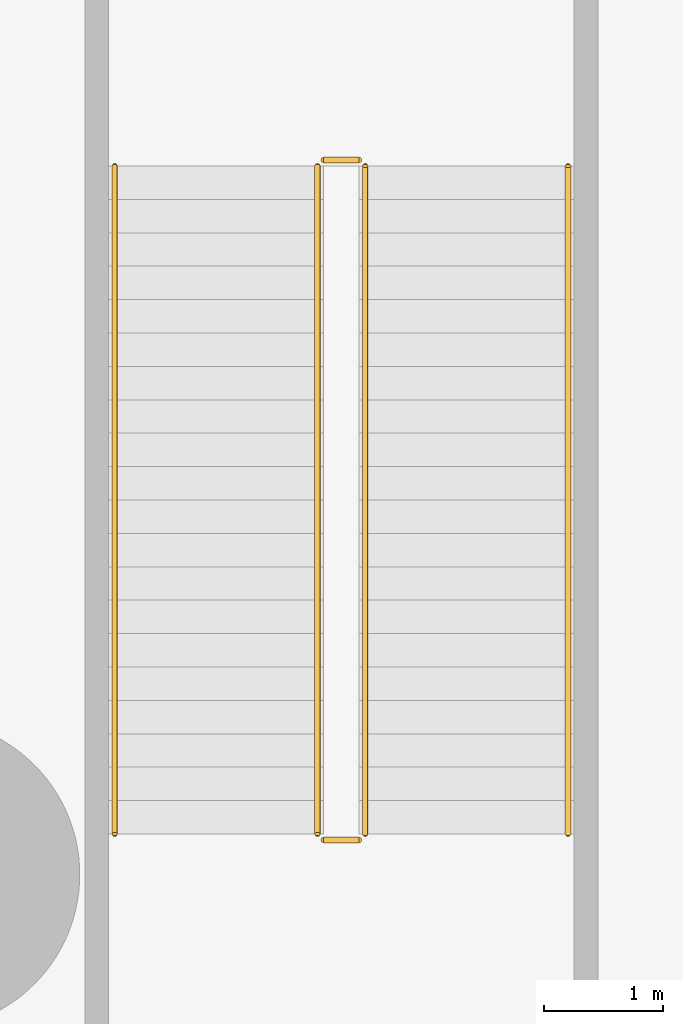
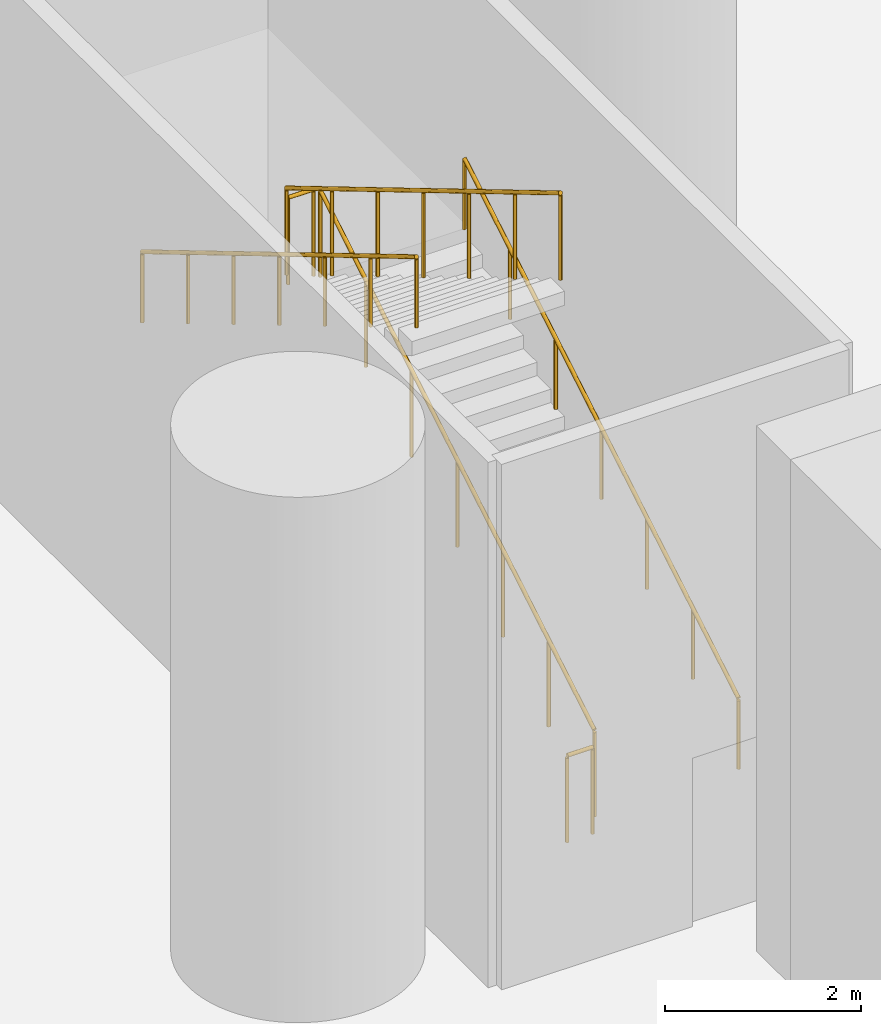
# One storey, part 22 of 30: 6 railings.
"""IFC4 building model written with IfcOpenShell, lengths in metres."""

from ifc_helpers import new_model, si_unit, direction, frame, origin, origin_2d, place, context, subcontext, project, spatial, circle, extrude, material, type_object, element, save


model = new_model("IFC4")

# Units and contexts
model_context = context("Model", 3, precision=1e-05, world=origin(), true_north=direction((0.0, 1.0)))
body_context = subcontext(model_context, "Body", "Model", "MODEL_VIEW")
ifc_project = project(units=[si_unit("LENGTHUNIT", "METRE"), si_unit("AREAUNIT", "SQUARE_METRE"), si_unit("VOLUMEUNIT", "CUBIC_METRE"), si_unit("PLANEANGLEUNIT", "RADIAN"), si_unit("MASSUNIT", "GRAM", prefix="KILO")], contexts=[model_context])

# Site, building, storey
site_placement = place(None, origin())
site = spatial("IfcSite", under=ifc_project, at=site_placement, CompositionType="ELEMENT")
building_placement = place(site_placement, origin())
building = spatial("IfcBuilding", under=site, at=building_placement, Name="Tamarind Cross Interchange Tower", CompositionType="ELEMENT")
storey_placement = place(building_placement, frame((0.0, 0.0, -14.0)))
storey = spatial("IfcBuildingStorey", under=building, at=storey_placement, Name="B2", CompositionType="ELEMENT", Elevation=-14.0)

# Railings
ifc_material_1 = material(Name="Public stair guard")
railing_type_1 = type_object("IfcRailingType", Name="Public stair guard", PredefinedType="GUARDRAIL", material=ifc_material_1)
railing_1_placement = place(storey_placement, frame((-16.85009765625, 12.199951171875, 0.166748046875)))
element("IfcRailing", 1, at=railing_1_placement, inside=storey, type_object=railing_type_1, Name="B2 XS-W stair guard 1", PredefinedType="GUARDRAIL", context=body_context, shape_type="SweptSolid", body=[
    extrude(circle(Radius=0.02392578125, at=origin_2d()), frame((0.0, 0.0, 1.076171875), z_axis=(0.0, 0.859302292876, 0.511468053214), x_axis=(-1.0, 0.0, 0.0)), (0.0, 0.0, 1.0), 6.51708984375),
    extrude(circle(Radius=0.02099609375, at=origin_2d()), origin(), (0.0, 0.0, 1.0), 1.052001953125),
    extrude(circle(Radius=0.02099609375, at=origin_2d()), frame((0.0, 0.933349609375, 0.5556640625)), (0.0, 0.0, 1.0), 1.052001953125),
    extrude(circle(Radius=0.02099609375, at=origin_2d()), frame((0.0, 1.86669921875, 1.111083984375)), (0.0, 0.0, 1.0), 1.052001953125),
    extrude(circle(Radius=0.02099609375, at=origin_2d()), frame((0.0, 2.800048828125, 1.66650390625)), (0.0, 0.0, 1.0), 1.052001953125),
    extrude(circle(Radius=0.02099609375, at=origin_2d()), frame((0.0, 3.7333984375, 2.22216796875)), (0.0, 0.0, 1.0), 1.052001953125),
    extrude(circle(Radius=0.02099609375, at=origin_2d()), frame((0.0, 4.666748046875, 2.77783203125)), (0.0, 0.0, 1.0), 1.052001953125),
    extrude(circle(Radius=0.02099609375, at=origin_2d()), frame((0.0, 5.60009765625, 3.333251953125)), (0.0, 0.0, 1.0), 1.052001953125),
])
railing_2_placement = place(storey_placement, frame((-16.89990234375, 17.85009765625, 3.5)))
element("IfcRailing", 2, at=railing_2_placement, inside=storey, type_object=railing_type_1, Name="B2 XS-W stair guard 2", PredefinedType="GUARDRAIL", context=body_context, shape_type="SweptSolid", body=[
    extrude(circle(Radius=0.02392578125, at=origin_2d()), frame((0.0, 0.0, 1.076171875), z_axis=(-1.0, 0.0, 0.0), x_axis=(0.0, -1.0, 0.0)), (0.0, 0.0, 1.0), 0.300048828125),
    extrude(circle(Radius=0.02099609375, at=origin_2d()), origin(), (0.0, 0.0, 1.0), 1.052001953125),
    extrude(circle(Radius=0.02099609375, at=origin_2d()), frame((-0.300048828125, 0.0, 0.0)), (0.0, 0.0, 1.0), 1.052001953125),
])
railing_3_placement = place(storey_placement, frame((-17.25, 17.800048828125, 3.666748046875)))
element("IfcRailing", 3, at=railing_3_placement, inside=storey, type_object=railing_type_1, Name="B2 XS-W stair guard 3", PredefinedType="GUARDRAIL", context=body_context, shape_type="SweptSolid", body=[
    extrude(circle(Radius=0.02392578125, at=origin_2d()), frame((0.0, 0.0, 1.076171875), z_axis=(0.0, -0.859302292876, 0.511468053214), x_axis=(1.0, 0.0, 0.0)), (0.0, 0.0, 1.0), 6.51708984375),
    extrude(circle(Radius=0.02099609375, at=origin_2d()), origin(), (0.0, 0.0, 1.0), 1.052001953125),
    extrude(circle(Radius=0.02099609375, at=origin_2d()), frame((0.0, -0.933349609375, 0.5556640625)), (0.0, 0.0, 1.0), 1.052001953125),
    extrude(circle(Radius=0.02099609375, at=origin_2d()), frame((0.0, -1.86669921875, 1.111083984375)), (0.0, 0.0, 1.0), 1.052001953125),
    extrude(circle(Radius=0.02099609375, at=origin_2d()), frame((0.0, -2.800048828125, 1.66650390625)), (0.0, 0.0, 1.0), 1.052001953125),
    extrude(circle(Radius=0.02099609375, at=origin_2d()), frame((0.0, -3.7333984375, 2.22216796875)), (0.0, 0.0, 1.0), 1.052001953125),
    extrude(circle(Radius=0.02099609375, at=origin_2d()), frame((0.0, -4.666748046875, 2.77783203125)), (0.0, 0.0, 1.0), 1.052001953125),
    extrude(circle(Radius=0.02099609375, at=origin_2d()), frame((0.0, -5.60009765625, 3.333251953125)), (0.0, 0.0, 1.0), 1.052001953125),
])
railing_4_placement = place(storey_placement, frame((-16.89990234375, 12.14990234375, 0.0)))
element("IfcRailing", 4, at=railing_4_placement, inside=storey, type_object=railing_type_1, Name="B2 XS-W stair guard 4", PredefinedType="GUARDRAIL", context=body_context, shape_type="SweptSolid", body=[
    extrude(circle(Radius=0.02392578125, at=origin_2d()), frame((0.0, 0.0, 1.076171875), z_axis=(-1.0, 0.0, 0.0), x_axis=(0.0, -1.0, 0.0)), (0.0, 0.0, 1.0), 0.300048828125),
    extrude(circle(Radius=0.02099609375, at=origin_2d()), origin(), (0.0, 0.0, 1.0), 1.052001953125),
    extrude(circle(Radius=0.02099609375, at=origin_2d()), frame((-0.300048828125, 0.0, 0.0)), (0.0, 0.0, 1.0), 1.052001953125),
])
ifc_material_2 = material(Name="Public stair handrail")
railing_type_2 = type_object("IfcRailingType", Name="Public stair handrail", PredefinedType="HANDRAIL", material=ifc_material_2)
railing_5_placement = place(storey_placement, frame((-15.14990234375, 12.199951171875, 0.166748046875)))
element("IfcRailing", 5, at=railing_5_placement, inside=storey, type_object=railing_type_2, Name="B2 XS-W stair handrail 1", PredefinedType="HANDRAIL", context=body_context, shape_type="SweptSolid", body=[
    extrude(circle(Radius=0.02392578125, at=origin_2d()), frame((0.0, 0.0, 0.8759765625), z_axis=(0.0, 0.859302292876, 0.511468053214), x_axis=(-1.0, 0.0, 0.0)), (0.0, 0.0, 1.0), 6.51708984375),
    extrude(circle(Radius=0.02099609375, at=origin_2d()), origin(), (0.0, 0.0, 1.0), 0.851806640625),
    extrude(circle(Radius=0.02099609375, at=origin_2d()), frame((0.0, 0.933349609375, 0.5556640625)), (0.0, 0.0, 1.0), 0.851806640625),
    extrude(circle(Radius=0.02099609375, at=origin_2d()), frame((0.0, 1.86669921875, 1.111083984375)), (0.0, 0.0, 1.0), 0.851806640625),
    extrude(circle(Radius=0.02099609375, at=origin_2d()), frame((0.0, 2.800048828125, 1.66650390625)), (0.0, 0.0, 1.0), 0.851806640625),
    extrude(circle(Radius=0.02099609375, at=origin_2d()), frame((0.0, 3.7333984375, 2.22216796875)), (0.0, 0.0, 1.0), 0.851806640625),
    extrude(circle(Radius=0.02099609375, at=origin_2d()), frame((0.0, 4.666748046875, 2.77783203125)), (0.0, 0.0, 1.0), 0.851806640625),
    extrude(circle(Radius=0.02099609375, at=origin_2d()), frame((0.0, 5.60009765625, 3.333251953125)), (0.0, 0.0, 1.0), 0.851806640625),
])
railing_6_placement = place(storey_placement, frame((-18.949951171875, 17.800048828125, 3.666748046875)))
element("IfcRailing", 6, at=railing_6_placement, inside=storey, type_object=railing_type_2, Name="B2 XS-W stair handrail 2", PredefinedType="HANDRAIL", context=body_context, shape_type="SweptSolid", body=[
    extrude(circle(Radius=0.02392578125, at=origin_2d()), frame((0.0, 0.0, 0.8759765625), z_axis=(0.0, -0.859302292876, 0.511468053214), x_axis=(1.0, 0.0, 0.0)), (0.0, 0.0, 1.0), 6.51708984375),
    extrude(circle(Radius=0.02099609375, at=origin_2d()), origin(), (0.0, 0.0, 1.0), 0.851806640625),
    extrude(circle(Radius=0.02099609375, at=origin_2d()), frame((0.0, -0.933349609375, 0.5556640625)), (0.0, 0.0, 1.0), 0.851806640625),
    extrude(circle(Radius=0.02099609375, at=origin_2d()), frame((0.0, -1.86669921875, 1.111083984375)), (0.0, 0.0, 1.0), 0.851806640625),
    extrude(circle(Radius=0.02099609375, at=origin_2d()), frame((0.0, -2.800048828125, 1.66650390625)), (0.0, 0.0, 1.0), 0.851806640625),
    extrude(circle(Radius=0.02099609375, at=origin_2d()), frame((0.0, -3.7333984375, 2.22216796875)), (0.0, 0.0, 1.0), 0.851806640625),
    extrude(circle(Radius=0.02099609375, at=origin_2d()), frame((0.0, -4.666748046875, 2.77783203125)), (0.0, 0.0, 1.0), 0.851806640625),
    extrude(circle(Radius=0.02099609375, at=origin_2d()), frame((0.0, -5.60009765625, 3.333251953125)), (0.0, 0.0, 1.0), 0.851806640625),
])

save(model, "model.ifc")
